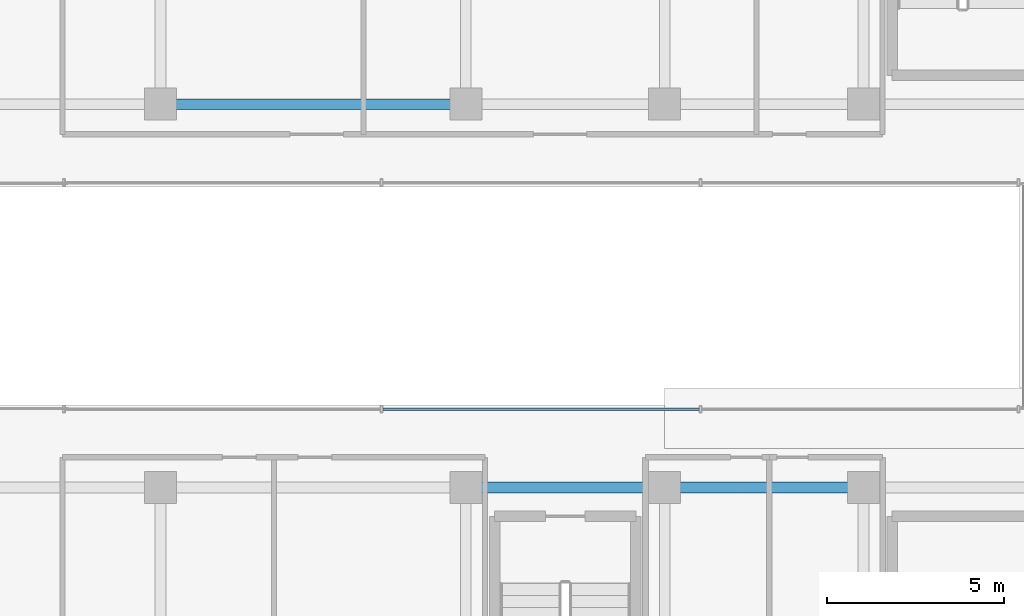
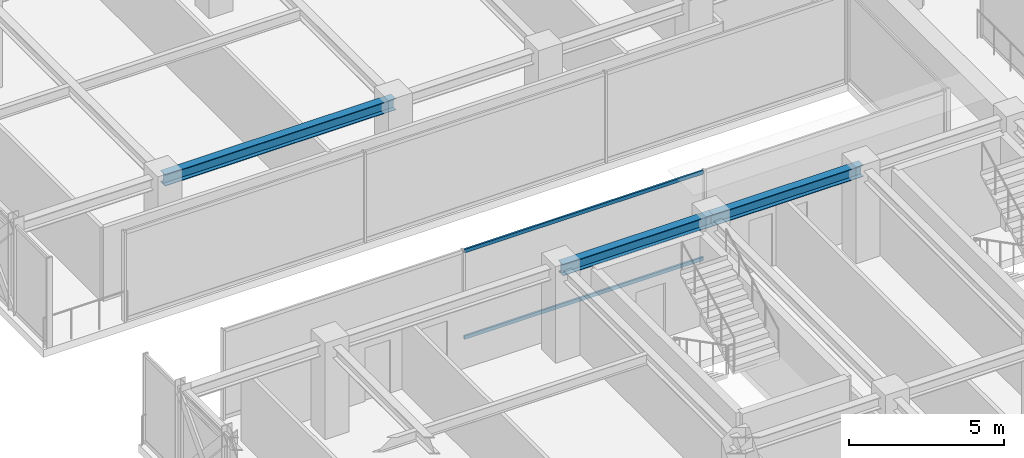
# One storey, part 12 of 40: 3 beams, 2 members, 1 element without a shape of its own.
"""IFC4 building model written with IfcOpenShell, lengths in metres."""

from ifc_helpers import new_model, si_unit, direction, frame, origin, origin_2d, place, context, subcontext, project, spatial, hollow_rectangle, i_section, extrude, source, transform, mapped, material, material_profile, profile_set, type_object, element, aggregate, save


model = new_model("IFC4")

# Units and contexts
model_context = context("Model", 3, precision=1e-05, world=origin(), true_north=direction((0.0, 1.0)))
body_context = subcontext(model_context, "Body", "Model", "MODEL_VIEW")
ifc_project = project(units=[si_unit("LENGTHUNIT", "METRE"), si_unit("AREAUNIT", "SQUARE_METRE"), si_unit("VOLUMEUNIT", "CUBIC_METRE"), si_unit("PLANEANGLEUNIT", "RADIAN"), si_unit("MASSUNIT", "GRAM", prefix="KILO")], contexts=[model_context])

# Site, building, storey
site_placement = place(None, origin())
site = spatial("IfcSite", under=ifc_project, at=site_placement, CompositionType="ELEMENT")
building_placement = place(site_placement, origin())
building = spatial("IfcBuilding", under=site, at=building_placement, Name="Nahalor Promenade Grand Hotel", CompositionType="ELEMENT")
storey_placement = place(building_placement, frame((0.0, 0.0, 288.800048828125)))
storey = spatial("IfcBuildingStorey", under=building, at=storey_placement, Name="L74", CompositionType="ELEMENT", Elevation=288.800048828125)

# Beams
ifc_material_1 = material(Name="Steel S355JR", Category="steel")
ifc_material_profile_1 = material_profile(ifc_material_1, i_section(OverallWidth=0.3, OverallDepth=0.45, WebThickness=0.014, FlangeThickness=0.026, at=origin_2d()), Name="HEB 450")
ifc_profile_set_1 = profile_set([ifc_material_profile_1], Name="Steel S355JR")
beam_type = type_object("IfcBeamType", Name="Beam-Girder-HEB450", PredefinedType="BEAM", material=ifc_profile_set_1)
shared_shape_1 = source(origin(), body_context, "Body", "SweptSolid", [
    extrude(i_section(OverallWidth=0.3, OverallDepth=0.45, WebThickness=0.014, FlangeThickness=0.026, at=origin_2d()), origin(), (0.0, 0.0, 1.0), 8.60009765625),
])
beam_1_placement = place(storey_placement, frame((-17.0, 5.39990234375, 3.324951171875), z_axis=(1.0, 0.0, 0.0), x_axis=(0.0, 1.0, 0.0)))
element("IfcBeam", 1, at=beam_1_placement, inside=storey, type_object=beam_type, Name="BM-L74-GX-2-1", PredefinedType="BEAM", context=body_context, shape_type="MappedRepresentation", body=[
    mapped(shared_shape_1, transform((0.0, 0.0, 0.0), scale=1.0)),
])
shared_shape_2 = source(origin(), body_context, "Body", "SweptSolid", [
    extrude(i_section(OverallWidth=0.3, OverallDepth=0.45, WebThickness=0.014, FlangeThickness=0.026, at=origin_2d()), origin(), (0.0, 0.0, 1.0), 5.599853515625),
])
beam_2_placement = place(storey_placement, frame((-8.39990234375, -5.39990234375, 3.324951171875), z_axis=(1.0, 0.0, 0.0), x_axis=(0.0, 1.0, 0.0)))
element("IfcBeam", 2, at=beam_2_placement, inside=storey, type_object=beam_type, Name="BM-L74-GX-1-2", PredefinedType="BEAM", context=body_context, shape_type="MappedRepresentation", body=[
    mapped(shared_shape_2, transform((0.0, 0.0, 0.0), scale=1.0)),
])
shared_shape_3 = source(origin(), body_context, "Body", "SweptSolid", [
    extrude(i_section(OverallWidth=0.3, OverallDepth=0.45, WebThickness=0.014, FlangeThickness=0.026, at=origin_2d()), origin(), (0.0, 0.0, 1.0), 5.60009765625),
])
beam_3_placement = place(storey_placement, frame((-2.800048828125, -5.39990234375, 3.324951171875), z_axis=(1.0, 0.0, 0.0), x_axis=(0.0, 1.0, 0.0)))
element("IfcBeam", 3, at=beam_3_placement, inside=storey, type_object=beam_type, Name="BM-L74-GX-1-3", PredefinedType="BEAM", context=body_context, shape_type="MappedRepresentation", body=[
    mapped(shared_shape_3, transform((0.0, 0.0, 0.0), scale=1.0)),
])

# Curtain wall, members
ifc_material_2 = material(Name="Anodised Bronze Aluminium EN AW-6063 T6", Category="aluminium")
curtain_wall_type = type_object("IfcCurtainWallType", Name="CW3 Elliptical-Void Collar Unitised Curtain Wall", PredefinedType="USERDEFINED", material=ifc_material_2)
curtain_wall_placement = place(storey_placement, origin())
curtain_wall = element("IfcCurtainWall", 4, at=curtain_wall_placement, inside=storey, type_object=curtain_wall_type, Name="L74 Curtain Wall CW-L74-VOID-WS1", ObjectType="UNITISED_CURTAIN_WALL", PredefinedType="USERDEFINED")
ifc_material_profile_2 = material_profile(ifc_material_2, hollow_rectangle(XDim=0.07, YDim=0.14, WallThickness=0.004, at=origin_2d()), Name="CWT 70x140x4")
ifc_profile_set_2 = profile_set([ifc_material_profile_2], Name="Anodised Bronze Aluminium EN AW-6063 T6")
member_type = type_object("IfcMemberType", Name="CWT3 Void Collar Transom 70x140", PredefinedType="USERDEFINED", material=ifc_profile_set_2)
shared_shape_4 = source(origin(), body_context, "Body", "SweptSolid", [
    extrude(hollow_rectangle(XDim=0.07, YDim=0.14, WallThickness=0.004, at=origin_2d()), origin(), (0.0, 0.0, 1.0), 8.91650390625),
])
member_1_placement = place(storey_placement, frame((-10.73828125, -3.19091796875, 0.070068359375), z_axis=(1.0, 0.0, 0.0), x_axis=(0.0, 1.0, 0.0)))
member_1 = element("IfcMember", 5, at=member_1_placement, type_object=member_type, Name="CW-L74-VOID-WS1 Transom 1-0", ObjectType="TRANSOM", PredefinedType="USERDEFINED", context=body_context, shape_type="MappedRepresentation", body=[
    mapped(shared_shape_4, transform((0.0, 0.0, 0.0), scale=1.0)),
])
member_2_placement = place(storey_placement, frame((-10.73828125, -3.19091796875, 3.47998046875), z_axis=(1.0, 0.0, 0.0), x_axis=(0.0, 1.0, 0.0)))
member_2 = element("IfcMember", 6, at=member_2_placement, type_object=member_type, Name="CW-L74-VOID-WS1 Transom 1-1", ObjectType="TRANSOM", PredefinedType="USERDEFINED", context=body_context, shape_type="MappedRepresentation", body=[
    mapped(shared_shape_4, transform((0.0, 0.0, 0.0), scale=1.0)),
])
aggregate(curtain_wall, [member_1, member_2])

save(model, "model.ifc")
